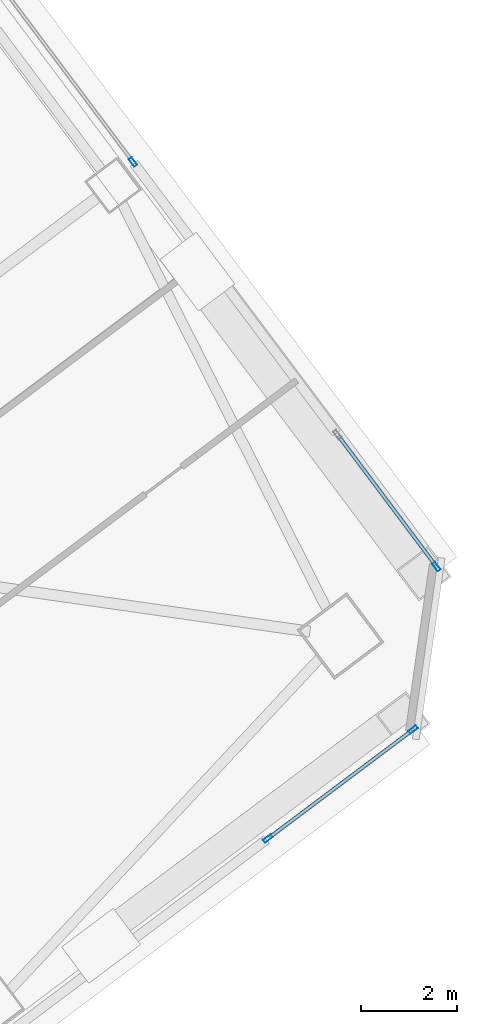
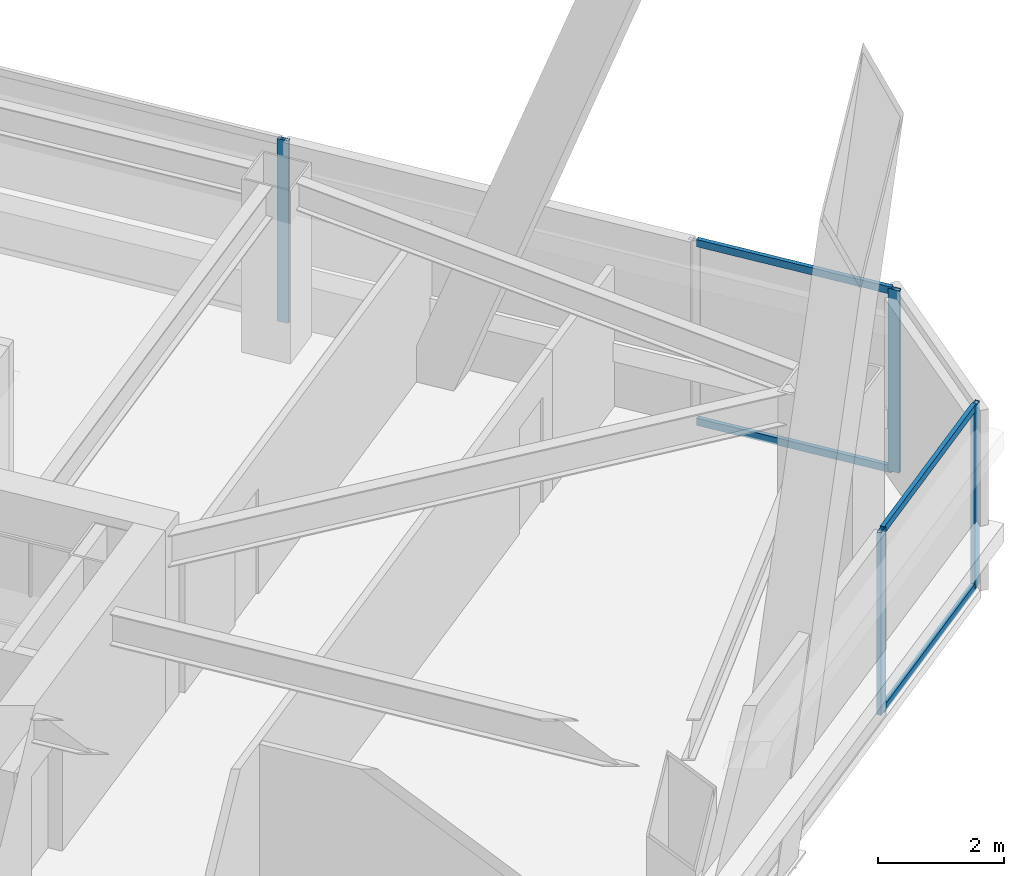
# One storey, part 33 of 54: 8 members, 3 elements without a shape of their own.
"""IFC4 building model written with IfcOpenShell, lengths in metres."""

from ifc_helpers import new_model, si_unit, direction, frame, origin, origin_2d, place, context, subcontext, project, spatial, hollow_rectangle, extrude, material, material_profile, profile_set, type_object, element, aggregate, save


model = new_model("IFC4")

# Units and contexts
model_context = context("Model", 3, precision=1e-05, world=origin(), true_north=direction((0.0, 1.0)))
body_context = subcontext(model_context, "Body", "Model", "MODEL_VIEW")
ifc_project = project(units=[si_unit("LENGTHUNIT", "METRE"), si_unit("AREAUNIT", "SQUARE_METRE"), si_unit("VOLUMEUNIT", "CUBIC_METRE"), si_unit("PLANEANGLEUNIT", "RADIAN"), si_unit("MASSUNIT", "GRAM", prefix="KILO")], contexts=[model_context])

# Site, building, storey
site_placement = place(None, origin())
site = spatial("IfcSite", under=ifc_project, at=site_placement, CompositionType="ELEMENT")
building_placement = place(site_placement, origin())
building = spatial("IfcBuilding", under=site, at=building_placement, Name="Tashvorn Skyway Center", CompositionType="ELEMENT")
storey_placement = place(building_placement, frame((0.0, 0.0, 135.699951171875)))
storey = spatial("IfcBuildingStorey", under=building, at=storey_placement, Name="L36", CompositionType="ELEMENT", Elevation=135.699951171875)

# Curtain wall, members
ifc_material = material(Name="Thermally broken bronze-anodized aluminium 6063-T6", Category="aluminium")
curtain_wall_type = type_object("IfcCurtainWallType", Name="CW-CW-Z3", PredefinedType="NOTDEFINED", material=ifc_material)
curtain_wall_1_placement = place(storey_placement, origin())
curtain_wall_1 = element("IfcCurtainWall", 1, at=curtain_wall_1_placement, inside=storey, type_object=curtain_wall_type, Name="Tower 2 L36 South Curtain Wall L Glazing Group 1", PredefinedType="NOTDEFINED")
ifc_material_profile_1 = material_profile(ifc_material, hollow_rectangle(XDim=0.074951171875, YDim=0.199951171875, WallThickness=0.00439453125, at=origin_2d()), Name="ALU-MULL-75x200")
ifc_profile_set_1 = profile_set([ifc_material_profile_1], Name="Thermally broken bronze-anodized aluminium 6063-T6")
member_type_1 = type_object("IfcMemberType", Name="CWM-CW-Z3", PredefinedType="MULLION", material=ifc_profile_set_1)
member_1_placement = place(storey_placement, frame((137.64208984375, 26.881591796875, 0.0), z_axis=(0.0, 0.0, 1.0), x_axis=(0.600004127279, -0.799996904524, 0.0)))
member_1 = element("IfcMember", 2, at=member_1_placement, type_object=member_type_1, Name="CW-Z3 mullion 1", PredefinedType="MULLION", context=body_context, shape_type="SweptSolid", body=[
    extrude(hollow_rectangle(XDim=0.074951171875, YDim=0.199951171875, WallThickness=0.00439453125, at=origin_2d()), origin(), (0.0, 0.0, 1.0), 3.550048828125),
])
member_2_placement = place(storey_placement, frame((134.6005859375, 24.6005859375, 0.0), z_axis=(0.0, 0.0, 1.0), x_axis=(0.600004127279, -0.799996904524, 0.0)))
member_2 = element("IfcMember", 3, at=member_2_placement, type_object=member_type_1, Name="CW-Z3 mullion 2", PredefinedType="MULLION", context=body_context, shape_type="SweptSolid", body=[
    extrude(hollow_rectangle(XDim=0.074951171875, YDim=0.199951171875, WallThickness=0.00439453125, at=origin_2d()), origin(), (0.0, 0.0, 1.0), 3.550048828125),
])

# Curtain wall, member
curtain_wall_2_placement = place(storey_placement, origin())
curtain_wall_2 = element("IfcCurtainWall", 4, at=curtain_wall_2_placement, inside=storey, type_object=curtain_wall_type, Name="Tower 2 L36 East Unitised Curtain Wall Glazing Group 2", PredefinedType="NOTDEFINED")
member_3_placement = place(storey_placement, frame((131.777587890625, 38.76318359375, 0.0), z_axis=(0.0, 0.0, 1.0), x_axis=(0.800002266987, 0.599996977339, 0.0)))
member_3 = element("IfcMember", 5, at=member_3_placement, type_object=member_type_1, Name="CW-Z3 mullion 2", PredefinedType="MULLION", context=body_context, shape_type="SweptSolid", body=[
    extrude(hollow_rectangle(XDim=0.074951171875, YDim=0.199951171875, WallThickness=0.00439453125, at=origin_2d()), origin(), (0.0, 0.0, 1.0), 3.550048828125),
])
aggregate(curtain_wall_2, [member_3])

curtain_wall_3_placement = place(storey_placement, origin())
curtain_wall_3 = element("IfcCurtainWall", 6, at=curtain_wall_3_placement, inside=storey, type_object=curtain_wall_type, Name="Tower 2 L36 East Unitised Curtain Wall Glazing Group 3", PredefinedType="NOTDEFINED")
member_4_placement = place(storey_placement, frame((138.12939453125, 30.2939453125, 0.0), z_axis=(0.0, 0.0, 1.0), x_axis=(0.800003400519, 0.599995465948, 0.0)))
member_4 = element("IfcMember", 7, at=member_4_placement, type_object=member_type_1, Name="CW-Z3 mullion 2", PredefinedType="MULLION", context=body_context, shape_type="SweptSolid", body=[
    extrude(hollow_rectangle(XDim=0.074951171875, YDim=0.199951171875, WallThickness=0.00439453125, at=origin_2d()), origin(), (0.0, 0.0, 1.0), 3.550048828125),
])

# Member
ifc_material_profile_2 = material_profile(ifc_material, hollow_rectangle(XDim=0.074951171875, YDim=0.139892578125, WallThickness=0.004150390625, at=origin_2d()), Name="ALU-TRAN-75x140")
ifc_profile_set_2 = profile_set([ifc_material_profile_2], Name="Thermally broken bronze-anodized aluminium 6063-T6")
member_type_2 = type_object("IfcMemberType", Name="CWT-CW-Z3", PredefinedType="USERDEFINED", material=ifc_profile_set_2)
member_5_placement = place(storey_placement, frame((137.612060546875, 26.85888671875, 0.03759765625), z_axis=(-0.800031444618, -0.599958071554, 0.0), x_axis=(0.599958071554, -0.800031444618, 0.0)))
member_5 = element("IfcMember", 8, at=member_5_placement, type_object=member_type_2, Name="CW-Z3 transom 1.1", ObjectType="TRANSOM", PredefinedType="USERDEFINED", context=body_context, shape_type="SweptSolid", body=[
    extrude(hollow_rectangle(XDim=0.074951171875, YDim=0.139892578125, WallThickness=0.004150390625, at=origin_2d()), origin(), (0.0, 0.0, 1.0), 3.7265625),
])

member_6_placement = place(storey_placement, frame((137.612060546875, 26.85888671875, 3.512451171875), z_axis=(-0.800031444618, -0.599958071554, 0.0), x_axis=(0.599958071554, -0.800031444618, 0.0)))
member_6 = element("IfcMember", 9, at=member_6_placement, type_object=member_type_2, Name="CW-Z3 transom 1.2", ObjectType="TRANSOM", PredefinedType="USERDEFINED", context=body_context, shape_type="SweptSolid", body=[
    extrude(hollow_rectangle(XDim=0.074951171875, YDim=0.139892578125, WallThickness=0.004150390625, at=origin_2d()), origin(), (0.0, 0.0, 1.0), 3.7265625),
])

aggregate(curtain_wall_1, [member_1, member_2, member_5, member_6])

member_7_placement = place(storey_placement, frame((136.07958984375, 33.027099609375, 0.03759765625), z_axis=(0.6, -0.8, 0.0), x_axis=(0.8, 0.6, 0.0)))
member_7 = element("IfcMember", 10, at=member_7_placement, type_object=member_type_2, Name="CW-Z3 transom 1.1", ObjectType="TRANSOM", PredefinedType="USERDEFINED", context=body_context, shape_type="SweptSolid", body=[
    extrude(hollow_rectangle(XDim=0.074951171875, YDim=0.139892578125, WallThickness=0.004150390625, at=origin_2d()), origin(), (0.0, 0.0, 1.0), 3.37890625),
])

member_8_placement = place(storey_placement, frame((136.07958984375, 33.027099609375, 3.512451171875), z_axis=(0.6, -0.8, 0.0), x_axis=(0.8, 0.6, 0.0)))
member_8 = element("IfcMember", 11, at=member_8_placement, type_object=member_type_2, Name="CW-Z3 transom 1.2", ObjectType="TRANSOM", PredefinedType="USERDEFINED", context=body_context, shape_type="SweptSolid", body=[
    extrude(hollow_rectangle(XDim=0.074951171875, YDim=0.139892578125, WallThickness=0.004150390625, at=origin_2d()), origin(), (0.0, 0.0, 1.0), 3.37890625),
])

aggregate(curtain_wall_3, [member_4, member_7, member_8])

save(model, "model.ifc")
